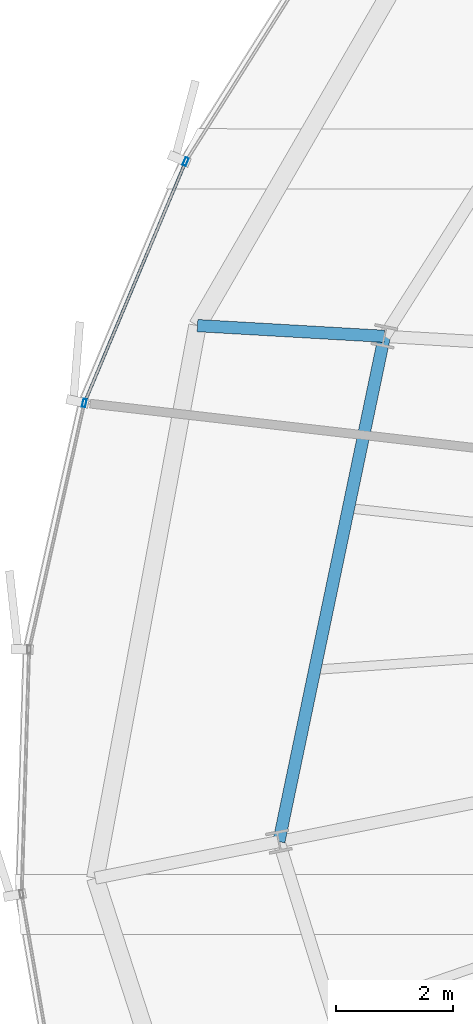
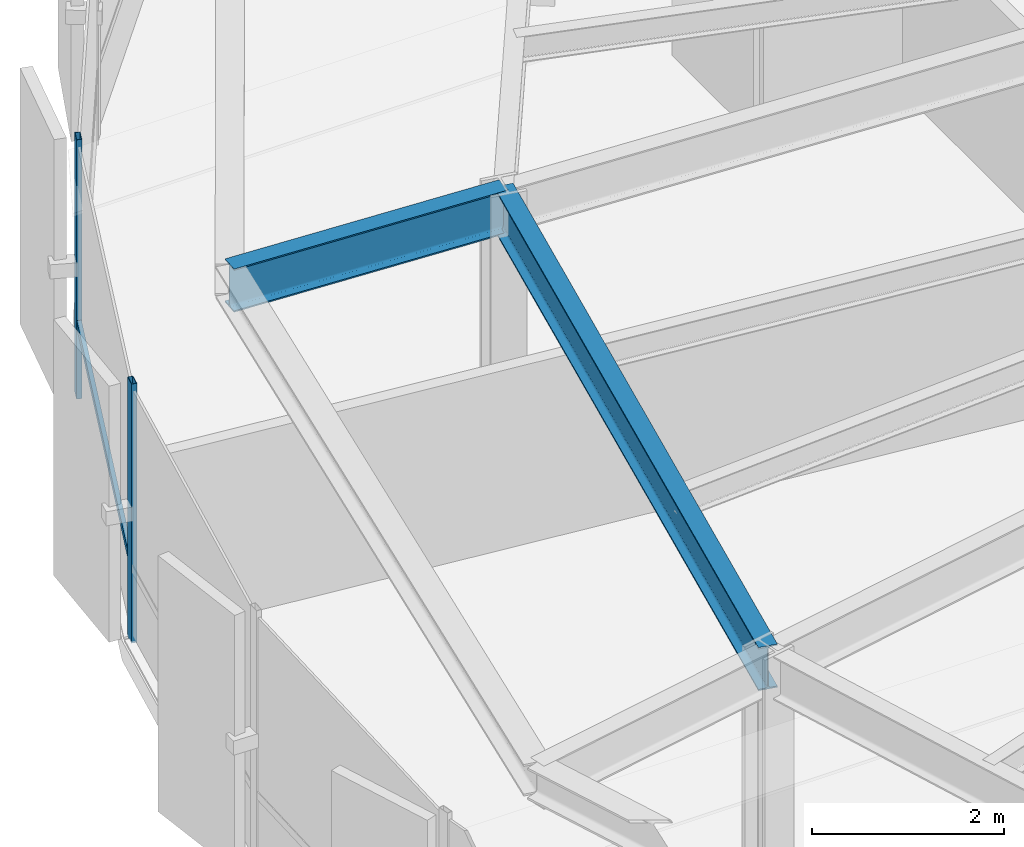
# One storey, part 10 of 35: 3 members, 2 beams, 1 element without a shape of its own.
"""IFC4 building model written with IfcOpenShell, lengths in metres."""

from ifc_helpers import new_model, si_unit, direction, frame, origin, origin_2d, place, context, subcontext, project, spatial, hollow_rectangle, i_section, extrude, source, transform, mapped, material, layer, layer_set, material_profile, profile_set, type_object, element, aggregate, save


model = new_model("IFC4")

# Units and contexts
model_context = context("Model", 3, precision=1e-05, world=origin(), true_north=direction((0.0, 1.0)))
body_context = subcontext(model_context, "Body", "Model", "MODEL_VIEW")
ifc_project = project(units=[si_unit("LENGTHUNIT", "METRE"), si_unit("AREAUNIT", "SQUARE_METRE"), si_unit("VOLUMEUNIT", "CUBIC_METRE"), si_unit("PLANEANGLEUNIT", "RADIAN"), si_unit("MASSUNIT", "GRAM", prefix="KILO"), si_unit("THERMODYNAMICTEMPERATUREUNIT", "KELVIN")], contexts=[model_context])

# Site, building, storey
site_placement = place(None, origin())
site = spatial("IfcSite", under=ifc_project, at=site_placement, CompositionType="ELEMENT")
building_placement = place(site_placement, origin())
building = spatial("IfcBuilding", under=site, at=building_placement, Name="Kethvar Cultural Tower", CompositionType="ELEMENT")
storey_placement = place(building_placement, frame((0.0, 0.0, 146.550048828125)))
storey = spatial("IfcBuildingStorey", under=building, at=storey_placement, Name="L37", CompositionType="ELEMENT", Elevation=146.550048828125)

# Beams
ifc_material_1 = material(Name="Steel S355J2", Category="steel")
ifc_material_profile_1 = material_profile(ifc_material_1, i_section(OverallWidth=0.2099609375, OverallDepth=0.550048828125, WebThickness=0.010986328125, FlangeThickness=0.01708984375, FilletRadius=0.02392578125, at=origin_2d()), Name="Steel S355J2 — IPE550")
ifc_profile_set_1 = profile_set([ifc_material_profile_1], Name="Steel S355J2 — IPE550")
beam_type = type_object("IfcBeamType", Name="BM-IPE550", PredefinedType="BEAM", material=ifc_profile_set_1)
shared_shape_1 = source(origin(), body_context, "Body", "SweptSolid", [
    extrude(i_section(OverallWidth=0.2099609375, OverallDepth=0.550048828125, WebThickness=0.010986328125, FlangeThickness=0.01708984375, FilletRadius=0.02392578125, at=origin_2d()), origin(), (0.0, 0.0, 1.0), 3.2001953125),
])
beam_1_placement = place(storey_placement, frame((25.988525390625, 31.939697265625, 3.02294921875), z_axis=(-0.998357274949, 0.057295301352, 0.0), x_axis=(-0.057295301352, -0.998357274949, 0.0)))
element("IfcBeam", 1, at=beam_1_placement, inside=storey, type_object=beam_type, Name="L37 Perimeter Cantilever Beam RC-08", PredefinedType="BEAM", context=body_context, shape_type="MappedRepresentation", body=[
    mapped(shared_shape_1, transform((0.0, 0.0, 0.0), scale=1.0)),
])
shared_shape_2 = source(origin(), body_context, "Body", "SweptSolid", [
    extrude(i_section(OverallWidth=0.2099609375, OverallDepth=0.550048828125, WebThickness=0.010986328125, FlangeThickness=0.01708984375, FilletRadius=0.02392578125, at=origin_2d()), origin(), (0.0, 0.0, 1.0), 8.82421875),
])
beam_2_placement = place(storey_placement, frame((25.988525390625, 31.939697265625, 3.02294921875), z_axis=(-0.204350879122, -0.978897705688, 0.0), x_axis=(0.978897705688, -0.204350879122, 0.0)))
element("IfcBeam", 2, at=beam_2_placement, inside=storey, type_object=beam_type, Name="L37 Column Ring Tie Beam CR-08", PredefinedType="BEAM", context=body_context, shape_type="MappedRepresentation", body=[
    mapped(shared_shape_2, transform((0.0, 0.0, 0.0), scale=1.0)),
])

# Curtain wall, members
ifc_material_2 = material(Name="Aluminium 6063-T6", Category="aluminium")
ifc_layer = layer(ifc_material_2, 0.179931640625, Name="Aluminium 6063-T6", Category="aluminium")
ifc_layer_set = layer_set([ifc_layer], Name="Aluminium 6063-T6 (180 mm)")
curtain_wall_type = type_object("IfcCurtainWallType", Name="CW-SYS-04-Z34", PredefinedType="NOTDEFINED", material=ifc_layer_set)
curtain_wall_placement = place(storey_placement, origin())
curtain_wall = element("IfcCurtainWall", 3, at=curtain_wall_placement, inside=storey, type_object=curtain_wall_type, Name="L37 Curtain Wall Run 03", PredefinedType="NOTDEFINED")
ifc_material_profile_2 = material_profile(ifc_material_2, hollow_rectangle(XDim=0.06005859375, YDim=0.139892578125, WallThickness=0.0048828125, at=origin_2d()), Name="Aluminium 6063-T6 — RHS140x60x5")
ifc_profile_set_2 = profile_set([ifc_material_profile_2], Name="Aluminium 6063-T6 — RHS140x60x5")
member_type_1 = type_object("IfcMemberType", Name="CW-SYS-04-Z34-MUL", PredefinedType="MULLION", material=ifc_profile_set_2)
shared_shape_3 = source(origin(), body_context, "Body", "SweptSolid", [
    extrude(hollow_rectangle(XDim=0.06005859375, YDim=0.139892578125, WallThickness=0.0048828125, at=origin_2d()), origin(), (0.0, 0.0, 1.0), 3.300048828125),
])
member_1_placement = place(storey_placement, frame((22.59228515625, 34.927001953125, 0.0), z_axis=(0.0, 0.0, 1.0), x_axis=(0.922153719131, -0.386823626854, 0.0)))
member_1 = element("IfcMember", 4, at=member_1_placement, type_object=member_type_1, Name="CW-L37-R03 Mullion 2", PredefinedType="MULLION", context=body_context, shape_type="MappedRepresentation", body=[
    mapped(shared_shape_3, transform((0.0, 0.0, 0.0), scale=1.0)),
])
member_2_placement = place(storey_placement, frame((20.859375, 30.800537109375, 0.0), z_axis=(0.0, 0.0, 1.0), x_axis=(0.975912954472, -0.218160274324, 0.0)))
member_2 = element("IfcMember", 5, at=member_2_placement, type_object=member_type_1, Name="CW-L37-R03 Mullion 3", PredefinedType="MULLION", context=body_context, shape_type="MappedRepresentation", body=[
    mapped(shared_shape_3, transform((0.0, 0.0, 0.0), scale=1.0)),
])
ifc_material_profile_3 = material_profile(ifc_material_2, hollow_rectangle(XDim=0.050048828125, YDim=0.10009765625, WallThickness=0.00390625, at=origin_2d()), Name="Aluminium 6063-T6 — RHS100x50x4")
ifc_profile_set_3 = profile_set([ifc_material_profile_3], Name="Aluminium 6063-T6 — RHS100x50x4")
member_type_2 = type_object("IfcMemberType", Name="CW-SYS-04-Z34-TRN", PredefinedType="USERDEFINED", material=ifc_profile_set_3)
shared_shape_4 = source(origin(), body_context, "Body", "SweptSolid", [
    extrude(hollow_rectangle(XDim=0.050048828125, YDim=0.10009765625, WallThickness=0.00390625, at=origin_2d()), origin(), (0.0, 0.0, 1.0), 4.40869140625),
])
member_3_placement = place(storey_placement, frame((22.575439453125, 34.88720703125, 0.949951171875), z_axis=(-0.386816308599, -0.922156788947, 0.0), x_axis=(0.922156788947, -0.386816308599, 0.0)))
member_3 = element("IfcMember", 6, at=member_3_placement, type_object=member_type_2, Name="CW-L37-R03 Transom 2", ObjectType="TRANSOM", PredefinedType="USERDEFINED", context=body_context, shape_type="MappedRepresentation", body=[
    mapped(shared_shape_4, transform((0.0, 0.0, 0.0), scale=1.0)),
])
aggregate(curtain_wall, [member_1, member_2, member_3])

save(model, "model.ifc")
